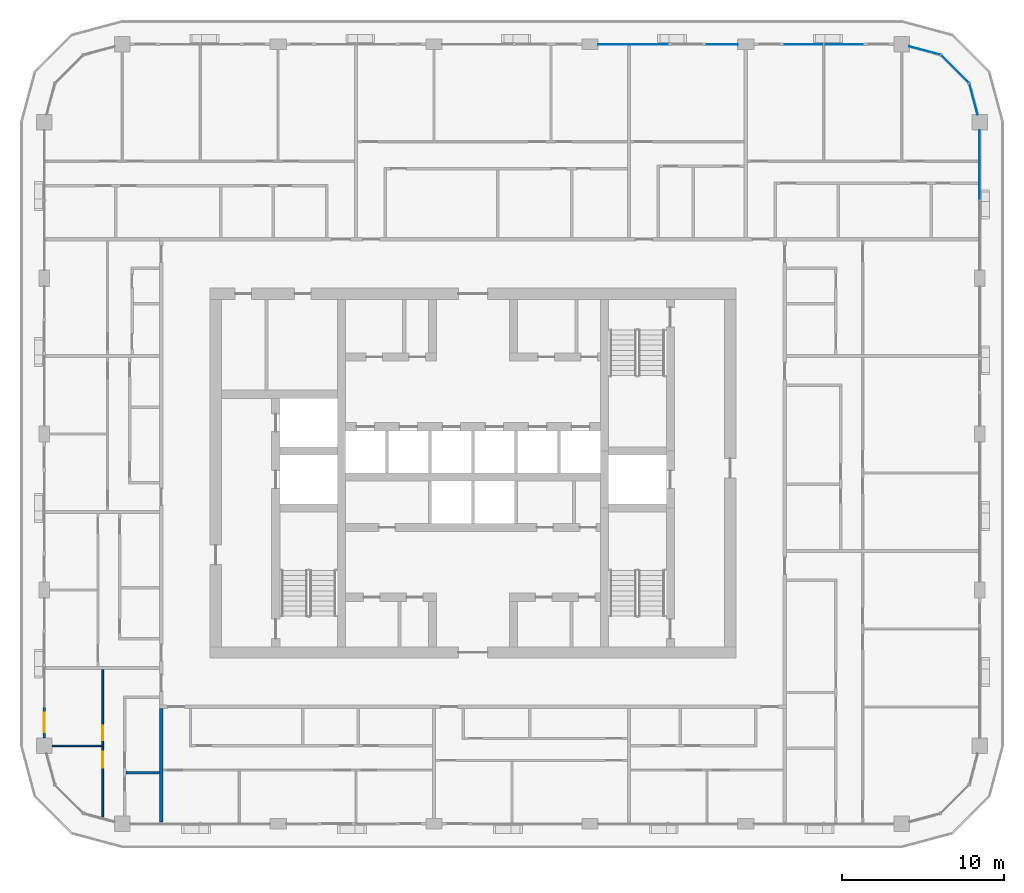
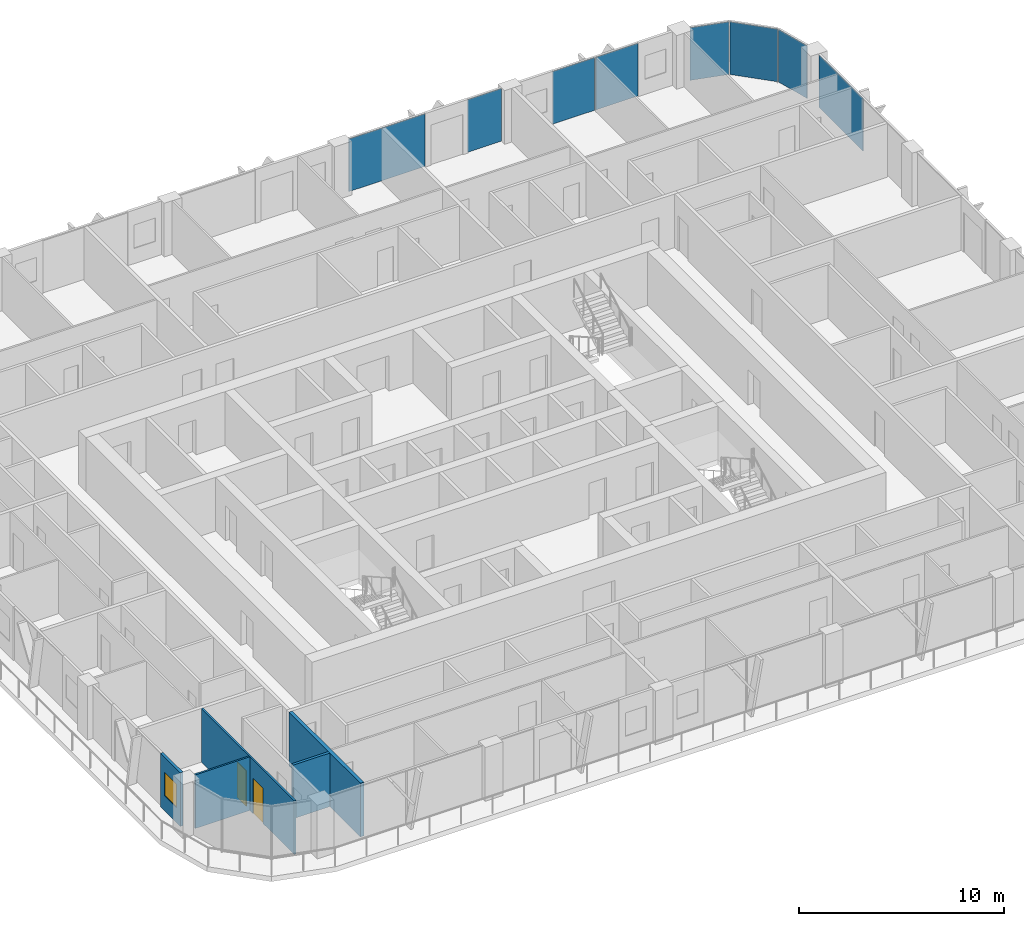
# One storey, part 8 of 23: 8 plates, 5 walls, 2 doors, 1 window, 3 openings, 4 elements without a shape of their own.
"""IFC4 building model written with IfcOpenShell, lengths in metres."""

import ifcopenshell
import ifcopenshell.guid

model = None  # the IFC model being written
_history = None  # IfcOwnerHistory: only IFC2X3 demands one
_inside = {}  # id of a spatial element -> (the spatial element, [elements in it])
_under = {}  # id of a project, library or spatial element -> (it, [spatial elements below it])
_declared = {}  # id of a project -> (the project, [libraries it declares])
_typed = {}  # id of a type object -> (the type object, [elements of that type])
_made_of = {}  # id of a material, layer set ... -> (it, [elements and type objects made of it])


def new_model(schema):
    """Start an empty IFC model of exactly this schema.

    Asked for "IFC4X3", IfcOpenShell would pick the latest addendum, in which some entities
    have other attributes; the version numbers below select the first issue.
    IFC2X3 requires an IfcOwnerHistory on every rooted entity: one is made here for all.
    """
    global model, _history
    if schema == "IFC4X3":
        model = ifcopenshell.file(schema_version=(4, 3, 0, 0))
    else:
        model = ifcopenshell.file(schema=schema)
    _inside.clear()
    _under.clear()
    _declared.clear()
    _typed.clear()
    _made_of.clear()
    _history = None
    if model.schema == "IFC2X3":
        org = make("IfcOrganization", Name="unknown")
        user = make(
            "IfcPersonAndOrganization",
            ThePerson=make("IfcPerson", FamilyName="unknown"),
            TheOrganization=org,
        )
        app = make(
            "IfcApplication",
            ApplicationDeveloper=org,
            Version="unknown",
            ApplicationFullName="unknown",
            ApplicationIdentifier="unknown",
        )
        _history = make(
            "IfcOwnerHistory",
            OwningUser=user,
            OwningApplication=app,
            ChangeAction="ADDED",
            CreationDate=0,
        )
    return model


def make(cls, **values):
    """One entity of the class cls with the attributes given. An attribute that is None is left unset."""
    return model.create_entity(
        cls, **{name: value for name, value in values.items() if value is not None}
    )


def rooted(cls, **values):
    """An entity with a GlobalId (a new one), such as an element, a storey or a relation."""
    return make(cls, GlobalId=ifcopenshell.guid.new(), OwnerHistory=_history, **values)


def si_unit(unit_type, name, prefix=None):
    """IfcSIUnit, for example si_unit("LENGTHUNIT", "METRE", prefix="MILLI")."""
    return make("IfcSIUnit", UnitType=unit_type, Prefix=prefix, Name=name)


def assignment(units):
    """IfcUnitAssignment: the units of a project."""
    return None if units is None else make("IfcUnitAssignment", Units=units)


def point(xyz):
    """IfcCartesianPoint."""
    return None if xyz is None else make("IfcCartesianPoint", Coordinates=xyz)


def direction(xyz):
    """IfcDirection."""
    return None if xyz is None else make("IfcDirection", DirectionRatios=xyz)


def frame(location, z_axis=None, x_axis=None):
    """IfcAxis2Placement3D, a coordinate frame: its origin and axes. An axis left out is left unset."""
    return make(
        "IfcAxis2Placement3D",
        Location=point(location),
        Axis=direction(z_axis),
        RefDirection=direction(x_axis),
    )


def frame_2d(location, x_axis=None):
    """IfcAxis2Placement2D, a coordinate frame in the plane: its origin and x axis."""
    return make(
        "IfcAxis2Placement2D", Location=point(location), RefDirection=direction(x_axis)
    )


def origin():
    """The frame at (0, 0, 0) with its axes left unset."""
    return frame((0.0, 0.0, 0.0))


def origin_2d():
    """The frame at (0, 0) in the plane with its x axis left unset."""
    return frame_2d((0.0, 0.0))


def place(relative_to, where):
    """IfcLocalPlacement: puts the frame where relative to a parent placement (None: the world)."""
    return make(
        "IfcLocalPlacement", PlacementRelTo=relative_to, RelativePlacement=where
    )


def context(
    kind, dimensions, precision=None, world=None, true_north=None, identifier=None
):
    """IfcGeometricRepresentationContext, for example the 3D "Model" context."""
    return make(
        "IfcGeometricRepresentationContext",
        ContextIdentifier=identifier,
        ContextType=kind,
        CoordinateSpaceDimension=dimensions,
        Precision=precision,
        WorldCoordinateSystem=world,
        TrueNorth=true_north,
    )


def subcontext(parent, identifier, kind, view, scale=None):
    """IfcGeometricRepresentationSubContext, for example "Body" below "Model"."""
    return make(
        "IfcGeometricRepresentationSubContext",
        ContextIdentifier=identifier,
        ContextType=kind,
        ParentContext=parent,
        TargetScale=scale,
        TargetView=view,
    )


def project(units=None, contexts=None):
    """IfcProject with its units and contexts."""
    return rooted(
        "IfcProject",
        Name="project",
        RepresentationContexts=contexts,
        UnitsInContext=assignment(units),
    )


def spatial(cls, under=None, at=None, **own):
    """A site, building, storey or space (cls), placed at a placement, below another one or the project."""
    s = rooted(cls, ObjectPlacement=at, **own)
    if under is not None:
        _under.setdefault(under.id(), (under, []))[1].append(s)
    return s


def profile(cls, at=None, kind="AREA", **sizes):
    """A parametric profile (cls). Its sizes go by their IFC names, for example OverallWidth=200.0."""
    return make(cls, ProfileType=kind, Position=at, **sizes)


def rectangle(**sizes):
    """IfcRectangleProfileDef."""
    return profile("IfcRectangleProfileDef", **sizes)


def extrude(swept, where, along, depth):
    """IfcExtrudedAreaSolid: the profile swept, set in the frame where, extruded along a direction by depth."""
    return make(
        "IfcExtrudedAreaSolid",
        SweptArea=swept,
        Position=where,
        ExtrudedDirection=direction(along),
        Depth=depth,
    )


def shape(context_of_items, identifier, shape_type, items):
    """IfcShapeRepresentation: the items that make up one representation, for example the "Body"."""
    return make(
        "IfcShapeRepresentation",
        ContextOfItems=context_of_items,
        RepresentationIdentifier=identifier,
        RepresentationType=shape_type,
        Items=items,
    )


def material(Name=None, Category=None):
    """IfcMaterial."""
    return make("IfcMaterial", Name=Name, Category=Category)


def layer(
    of_material, thickness, ventilated=None, Name=None, Category=None, Priority=None
):
    """IfcMaterialLayer: one layer of a wall or slab, of a material (None: an air gap)."""
    return make(
        "IfcMaterialLayer",
        Material=of_material,
        LayerThickness=thickness,
        IsVentilated=ventilated,
        Name=Name,
        Category=Category,
        Priority=Priority,
    )


def layer_set(layers, Name=None):
    """IfcMaterialLayerSet."""
    return make("IfcMaterialLayerSet", MaterialLayers=layers, LayerSetName=Name)


def made_of(thing, what):
    """Note that an element or type object is made of a material, layer set ...; save() writes the relation."""
    if what is not None:
        _made_of.setdefault(what.id(), (what, []))[1].append(thing)
    return thing


def type_object(cls, material=None, **own):
    """A type object (cls), such as IfcWallType, which elements share."""
    return made_of(rooted(cls, **own), material)


def element(
    cls,
    number,
    at=None,
    inside=None,
    cuts=None,
    type_object=None,
    material=None,
    context=None,
    identifier="Body",
    shape_type=None,
    held_by="IfcProductDefinitionShape",
    body=None,
    shapes=None,
    **own,
):
    """One element of the class cls, such as IfcWall. Its Tag is "e" and its number.

    at: its placement. inside: the storey or other place that contains it. cuts: it is an
    opening in that element (IfcRelVoidsElement). A single representation is given by context,
    identifier, shape_type and body (its items); several are given by shapes. held_by: the class
    of the entity that holds the representations. save() writes the other relations.
    """
    e = rooted(cls, Tag="e%d" % number, ObjectPlacement=at, **own)
    if body is not None:
        shapes = [shape(context, identifier, shape_type, body)]
    if shapes is not None:
        e.Representation = make(held_by, Representations=shapes)
    if inside is not None:
        _inside.setdefault(inside.id(), (inside, []))[1].append(e)
    if cuts is not None:
        rooted(
            "IfcRelVoidsElement", RelatingBuildingElement=cuts, RelatedOpeningElement=e
        )
    if type_object is not None:
        _typed.setdefault(type_object.id(), (type_object, []))[1].append(e)
    return made_of(e, material)


def fill(opening, filler):
    """IfcRelFillsElement: the door or window that sits in an opening."""
    return rooted(
        "IfcRelFillsElement",
        RelatingOpeningElement=opening,
        RelatedBuildingElement=filler,
    )


def aggregate(whole, parts):
    """IfcRelAggregates: a whole, such as a stair, and the parts it consists of."""
    return rooted("IfcRelAggregates", RelatingObject=whole, RelatedObjects=parts)


def save(model, path):
    """Write the relations noted so far, then the file.

    IfcRelAggregates (storeys below a building ...), IfcRelContainedInSpatialStructure (elements
    in a storey), IfcRelDefinesByType, IfcRelAssociatesMaterial and IfcRelDeclares: one each for
    every whole, place, type object, material and project.
    """
    for whole, parts in _under.values():
        aggregate(whole, parts)
    for where, things in _inside.values():
        rooted(
            "IfcRelContainedInSpatialStructure",
            RelatedElements=things,
            RelatingStructure=where,
        )
    for kind, things in _typed.values():
        rooted("IfcRelDefinesByType", RelatedObjects=things, RelatingType=kind)
    for what, things in _made_of.values():
        rooted("IfcRelAssociatesMaterial", RelatedObjects=things, RelatingMaterial=what)
    for by, libraries in _declared.values():
        rooted("IfcRelDeclares", RelatingContext=by, RelatedDefinitions=libraries)
    model.write(path)


model = new_model("IFC4")

# Units and contexts
model_context = context("Model", 3, precision=1e-05, world=origin(), true_north=direction((0.0, 1.0)))
body_context = subcontext(model_context, "Body", "Model", "MODEL_VIEW")
ifc_project = project(units=[si_unit("LENGTHUNIT", "METRE"), si_unit("AREAUNIT", "SQUARE_METRE"), si_unit("VOLUMEUNIT", "CUBIC_METRE"), si_unit("PLANEANGLEUNIT", "RADIAN"), si_unit("MASSUNIT", "GRAM", prefix="KILO")], contexts=[model_context])

# Site, building, storey
site_placement = place(None, origin())
site = spatial("IfcSite", under=ifc_project, at=site_placement, CompositionType="ELEMENT")
building_placement = place(site_placement, origin())
building = spatial("IfcBuilding", under=site, at=building_placement, Name="Madar Terraces", CompositionType="ELEMENT")
storey_placement = place(building_placement, frame((0.0, 0.0, 215.800048828125)))
storey = spatial("IfcBuildingStorey", under=building, at=storey_placement, Name="L56", CompositionType="ELEMENT", Elevation=215.800048828125)

# Curtain wall, plate
ifc_material_1 = material(Name="Glass, ceramic frit dark grey, with black aluminium frame", Category="aluminium")
ifc_layer_1 = layer(ifc_material_1, 0.199951171875)
ifc_layer_set_1 = layer_set([ifc_layer_1], Name="Facade curtain wall, fritted glass")
curtain_wall_type = type_object("IfcCurtainWallType", Name="Facade curtain wall, fritted glass", PredefinedType="NOTDEFINED", material=ifc_layer_set_1)
curtain_wall_1_placement = place(storey_placement, origin())
curtain_wall_1 = element("IfcCurtainWall", 1, at=curtain_wall_1_placement, inside=storey, type_object=curtain_wall_type, Name="Outer skin curtain wall east bay 4", PredefinedType="NOTDEFINED")
ifc_material_2 = material(Name="Glass, ceramic frit dark grey", Category="glass")
ifc_layer_2 = layer(ifc_material_2, 0.028076171875)
ifc_layer_set_2 = layer_set([ifc_layer_2], Name="Facade glass panel 28")
plate_type = type_object("IfcPlateType", Name="Facade glass panel 28", PredefinedType="CURTAIN_PANEL", material=ifc_layer_set_2)
plate_1_placement = place(storey_placement, frame((62.39990234375, 45.37744140625, 0.0), z_axis=(0.0, 0.0, 1.0), x_axis=(0.0, 1.0, 0.0)))
plate_1 = element("IfcPlate", 2, at=plate_1_placement, type_object=plate_type, Name="Panel 2", PredefinedType="CURTAIN_PANEL", context=body_context, shape_type="SweptSolid", body=[
    extrude(rectangle(XDim=4.294921875, YDim=0.028076171875, at=origin_2d()), origin(), (0.0, 0.0, 1.0), 3.139892578125),
])
aggregate(curtain_wall_1, [plate_1])

# Curtain wall, plates
curtain_wall_2_placement = place(storey_placement, origin())
curtain_wall_2 = element("IfcCurtainWall", 3, at=curtain_wall_2_placement, inside=storey, type_object=curtain_wall_type, Name="Outer skin curtain wall north bay 1", PredefinedType="NOTDEFINED")
plate_2_placement = place(storey_placement, frame((54.014892578125, 52.800048828125, 0.0), z_axis=(0.0, 0.0, 1.0), x_axis=(-1.0, 0.0, 0.0)))
plate_2 = element("IfcPlate", 4, at=plate_2_placement, type_object=plate_type, Name="Panel 1", PredefinedType="CURTAIN_PANEL", context=body_context, shape_type="SweptSolid", body=[
    extrude(rectangle(XDim=2.3701171875, YDim=0.028076171875, at=origin_2d()), origin(), (0.0, 0.0, 1.0), 3.139892578125),
])
plate_3_placement = place(storey_placement, frame((51.5849609375, 52.800048828125, 0.0), z_axis=(0.0, 0.0, 1.0), x_axis=(-1.0, 0.0, 0.0)))
plate_3 = element("IfcPlate", 5, at=plate_3_placement, type_object=plate_type, Name="Panel 2", PredefinedType="CURTAIN_PANEL", context=body_context, shape_type="SweptSolid", body=[
    extrude(rectangle(XDim=2.3701171875, YDim=0.028076171875, at=origin_2d()), origin(), (0.0, 0.0, 1.0), 3.139892578125),
])
aggregate(curtain_wall_2, [plate_2, plate_3])

curtain_wall_3_placement = place(storey_placement, origin())
curtain_wall_3 = element("IfcCurtainWall", 6, at=curtain_wall_3_placement, inside=storey, type_object=curtain_wall_type, Name="Outer skin curtain wall north bay 2", PredefinedType="NOTDEFINED")
plate_4_placement = place(storey_placement, frame((46.550048828125, 52.800048828125, 0.0), z_axis=(0.0, 0.0, 1.0), x_axis=(-1.0, 0.0, 0.0)))
plate_4 = element("IfcPlate", 7, at=plate_4_placement, type_object=plate_type, Name="Panel 1", PredefinedType="CURTAIN_PANEL", context=body_context, shape_type="SweptSolid", body=[
    extrude(rectangle(XDim=1.89990234375, YDim=0.028076171875, at=origin_2d()), origin(), (0.0, 0.0, 1.0), 3.139892578125),
])
plate_5_placement = place(storey_placement, frame((41.050048828125, 52.800048828125, 0.0), z_axis=(0.0, 0.0, 1.0), x_axis=(-1.0, 0.0, 0.0)))
plate_5 = element("IfcPlate", 8, at=plate_5_placement, type_object=plate_type, Name="Panel 2", PredefinedType="CURTAIN_PANEL", context=body_context, shape_type="SweptSolid", body=[
    extrude(rectangle(XDim=4.300048828125, YDim=0.028076171875, at=origin_2d()), origin(), (0.0, 0.0, 1.0), 3.139892578125),
])
aggregate(curtain_wall_3, [plate_4, plate_5])

curtain_wall_4_placement = place(storey_placement, origin())
curtain_wall_4 = element("IfcCurtainWall", 9, at=curtain_wall_4_placement, inside=storey, type_object=curtain_wall_type, Name="Outer skin curtain wall north-east corner", PredefinedType="NOTDEFINED")
plate_6_placement = place(storey_placement, frame((62.018798828125, 49.423095703125, 0.0), z_axis=(0.0, 0.0, 1.0), x_axis=(-0.258819021888, 0.965925832509, 0.0)))
plate_6 = element("IfcPlate", 10, at=plate_6_placement, type_object=plate_type, Name="Panel 1", PredefinedType="CURTAIN_PANEL", context=body_context, shape_type="SweptSolid", body=[
    extrude(rectangle(XDim=1.962890625, YDim=0.028076171875, at=origin_2d()), origin(), (0.0, 0.0, 1.0), 3.139892578125),
])
plate_7_placement = place(storey_placement, frame((60.87841796875, 51.278564453125, 0.0), z_axis=(0.0, 0.0, 1.0), x_axis=(-0.707106781187, 0.707106781187, 0.0)))
plate_7 = element("IfcPlate", 11, at=plate_7_placement, type_object=plate_type, Name="Panel 2", PredefinedType="CURTAIN_PANEL", context=body_context, shape_type="SweptSolid", body=[
    extrude(rectangle(XDim=2.424560546875, YDim=0.028076171875, at=origin_2d()), origin(), (0.0, 0.0, 1.0), 3.139892578125),
])
plate_8_placement = place(storey_placement, frame((59.02294921875, 52.418701171875, 0.0), z_axis=(0.0, 0.0, 1.0), x_axis=(-0.965925832509, 0.258819021888, 0.0)))
plate_8 = element("IfcPlate", 12, at=plate_8_placement, type_object=plate_type, Name="Panel 3", PredefinedType="CURTAIN_PANEL", context=body_context, shape_type="SweptSolid", body=[
    extrude(rectangle(XDim=1.962890625, YDim=0.028076171875, at=origin_2d()), origin(), (0.0, 0.0, 1.0), 3.139892578125),
])
aggregate(curtain_wall_4, [plate_6, plate_7, plate_8])

# Wall, opening, window
ifc_material_3 = material(Name="Aluminium composite panel, black, over insulated backing", Category="aluminium")
ifc_layer_3 = layer(ifc_material_3, 0.14990234375)
ifc_layer_set_3 = layer_set([ifc_layer_3], Name="Facade bay panel 150")
wall_type_1 = type_object("IfcWallType", Name="Facade bay panel 150", PredefinedType="SOLIDWALL", material=ifc_layer_set_3)
wall_1_placement = place(storey_placement, frame((4.800048828125, 12.0, 0.0), z_axis=(0.0, 0.0, 1.0), x_axis=(0.0, -1.0, 0.0)))
wall_1 = element("IfcWall", 13, at=wall_1_placement, inside=storey, type_object=wall_type_1, Name="Facade bay panel", PredefinedType="SOLIDWALL", context=body_context, shape_type="SweptSolid", body=[
    extrude(rectangle(XDim=1.925048828125, YDim=0.14990234375, at=frame_2d((0.96240234375, 0.0))), origin(), (0.0, 0.0, 1.0), 3.199951171875),
])
opening_1_placement = place(wall_1_placement, frame((0.362548828125, 0.0, 0.89990234375)))
opening_1 = element("IfcOpeningElement", 14, at=opening_1_placement, cuts=wall_1, Name="Opening W1", PredefinedType="OPENING", context=body_context, shape_type="SweptSolid", body=[
    extrude(rectangle(XDim=1.199951171875, YDim=1.39990234375, at=frame_2d((0.60009765625, 0.699951171875))), frame((0.0, 0.0849609375, 0.0), z_axis=(0.0, -1.0, 0.0), x_axis=(1.0, 0.0, 0.0)), (0.0, 0.0, 1.0), 0.169921875),
])
ifc_material_4 = material(Name="Glass, clear, with black aluminium frame", Category="aluminium")
window_type = type_object("IfcWindowType", Name="Vent window 1200 x 1400", PartitioningType="SINGLE_PANEL", PredefinedType="WINDOW", material=ifc_material_4)
window_placement = place(opening_1_placement, origin())
window = element("IfcWindow", 15, at=window_placement, inside=storey, type_object=window_type, Name="Operable vent window", OverallHeight=1.39990234375, OverallWidth=1.199951171875, PartitioningType="SINGLE_PANEL", PredefinedType="WINDOW", context=body_context, shape_type="SweptSolid", body=[
    extrude(rectangle(XDim=1.199951171875, YDim=1.39990234375, at=frame_2d((0.60009765625, 0.699951171875))), frame((0.0, 0.030029296875, 0.0), z_axis=(0.0, -1.0, 0.0), x_axis=(1.0, 0.0, 0.0)), (0.0, 0.0, 1.0), 0.06005859375),
])
fill(opening_1, window)

# Wall
ifc_material_5 = material(Name="Gypsum board on steel studs", Category="steel")
ifc_layer_4 = layer(ifc_material_5, 0.10009765625)
ifc_layer_set_4 = layer_set([ifc_layer_4], Name="Flat partition 100")
wall_type_2 = type_object("IfcWallType", Name="Flat partition 100", PredefinedType="PARTITIONING", material=ifc_layer_set_4)
wall_2_placement = place(storey_placement, frame((8.35009765625, 9.60009765625, 0.0), z_axis=(0.0, 0.0, 1.0), x_axis=(-1.0, 0.0, 0.0)))
element("IfcWall", 16, at=wall_2_placement, inside=storey, type_object=wall_type_2, Name="Flat partition 100", PredefinedType="PARTITIONING", context=body_context, shape_type="SweptSolid", body=[
    extrude(rectangle(XDim=3.0751953125, YDim=0.10009765625, at=frame_2d((1.53759765625, 0.0))), origin(), (0.0, 0.0, 1.0), 3.199951171875),
])

# Wall, openings, doors
wall_3_placement = place(storey_placement, frame((8.39990234375, 5.221435546875, 0.0), z_axis=(0.0, 0.0, 1.0), x_axis=(0.0, 1.0, 0.0)))
wall_3 = element("IfcWall", 17, at=wall_3_placement, inside=storey, type_object=wall_type_2, Name="Flat partition 100", PredefinedType="PARTITIONING", context=body_context, shape_type="SweptSolid", body=[
    extrude(rectangle(XDim=9.07861328125, YDim=0.10009765625, at=frame_2d((4.539306640625, 0.0))), origin(), (0.0, 0.0, 1.0), 3.199951171875),
])
opening_2_placement = place(wall_3_placement, frame((4.728515625, 0.0, 0.0)))
opening_2 = element("IfcOpeningElement", 18, at=opening_2_placement, cuts=wall_3, Name="Opening D2", PredefinedType="OPENING", context=body_context, shape_type="SweptSolid", body=[
    extrude(rectangle(XDim=0.89990234375, YDim=2.10009765625, at=frame_2d((0.449951171875, 1.050048828125))), frame((0.0, 0.06005859375, 0.0), z_axis=(0.0, -1.0, 0.0), x_axis=(1.0, 0.0, 0.0)), (0.0, 0.0, 1.0), 0.1201171875),
])
opening_3_placement = place(wall_3_placement, frame((3.028564453125, 0.0, 0.0)))
opening_3 = element("IfcOpeningElement", 19, at=opening_3_placement, cuts=wall_3, Name="Opening D3", PredefinedType="OPENING", context=body_context, shape_type="SweptSolid", body=[
    extrude(rectangle(XDim=1.0, YDim=2.10009765625, at=frame_2d((0.5, 1.050048828125))), frame((0.0, 0.06005859375, 0.0), z_axis=(0.0, -1.0, 0.0), x_axis=(1.0, 0.0, 0.0)), (0.0, 0.0, 1.0), 0.1201171875),
])
ifc_material_6 = material(Name="Timber door leaf", Category="wood")
door_type_1 = type_object("IfcDoorType", Name="Flat living room door 1000", OperationType="NOTDEFINED", PredefinedType="DOOR", material=ifc_material_6)
door_1_placement = place(opening_3_placement, origin())
door_1 = element("IfcDoor", 20, at=door_1_placement, inside=storey, type_object=door_type_1, Name="Flat living room door 1000", OperationType="SINGLE_SWING_RIGHT", OverallHeight=2.10009765625, OverallWidth=1.0, PredefinedType="DOOR", context=body_context, shape_type="SweptSolid", body=[
    extrude(rectangle(XDim=1.0, YDim=2.10009765625, at=frame_2d((0.5, 1.050048828125))), frame((0.0, 0.02490234375, 0.0), z_axis=(0.0, -1.0, 0.0), x_axis=(1.0, 0.0, 0.0)), (0.0, 0.0, 1.0), 0.050048828125),
])
fill(opening_3, door_1)
ifc_material_7 = material(Name="Timber door leaf", Category="wood")
door_type_2 = type_object("IfcDoorType", Name="Flat room door 900", OperationType="NOTDEFINED", PredefinedType="DOOR", material=ifc_material_7)
door_2_placement = place(opening_2_placement, origin())
door_2 = element("IfcDoor", 21, at=door_2_placement, inside=storey, type_object=door_type_2, Name="Flat room door 900", OperationType="SINGLE_SWING_LEFT", OverallHeight=2.10009765625, OverallWidth=0.89990234375, PredefinedType="DOOR", context=body_context, shape_type="SweptSolid", body=[
    extrude(rectangle(XDim=0.89990234375, YDim=2.10009765625, at=frame_2d((0.449951171875, 1.050048828125))), frame((0.0, 0.02490234375, 0.0), z_axis=(0.0, -1.0, 0.0), x_axis=(1.0, 0.0, 0.0)), (0.0, 0.0, 1.0), 0.050048828125),
])
fill(opening_2, door_2)

# Walls
ifc_material_8 = material(Name="Lightweight blockwork", Category="masonry")
ifc_layer_5 = layer(ifc_material_8, 0.199951171875)
ifc_layer_set_5 = layer_set([ifc_layer_5], Name="Flat party and entrance wall 200")
wall_type_3 = type_object("IfcWallType", Name="Flat party and entrance wall 200", PredefinedType="PARTITIONING", material=ifc_layer_set_5)
wall_4_placement = place(storey_placement, frame((12.0, 4.89990234375, 0.0), z_axis=(0.0, 0.0, 1.0), x_axis=(0.0, 1.0, 0.0)))
element("IfcWall", 22, at=wall_4_placement, inside=storey, type_object=wall_type_3, Name="Flat party and entrance wall 200", PredefinedType="PARTITIONING", context=body_context, shape_type="SweptSolid", body=[
    extrude(rectangle(XDim=7.0, YDim=0.199951171875, at=frame_2d((3.5, 0.0))), origin(), (0.0, 0.0, 1.0), 3.199951171875),
])
ifc_material_9 = material(Name="Lightweight blockwork", Category="masonry")
ifc_layer_6 = layer(ifc_material_9, 0.14990234375)
ifc_layer_set_6 = layer_set([ifc_layer_6], Name="Flat wet-room partition 150")
wall_type_4 = type_object("IfcWallType", Name="Flat wet-room partition 150", PredefinedType="PARTITIONING", material=ifc_layer_set_6)
wall_5_placement = place(storey_placement, frame((11.89990234375, 7.949951171875, 0.0), z_axis=(0.0, 0.0, 1.0), x_axis=(-1.0, 0.0, 0.0)))
element("IfcWall", 23, at=wall_5_placement, inside=storey, type_object=wall_type_4, Name="Flat wet-room partition 150", PredefinedType="PARTITIONING", context=body_context, shape_type="SweptSolid", body=[
    extrude(rectangle(XDim=2.074951171875, YDim=0.14990234375, at=frame_2d((1.03759765625, 0.0))), origin(), (0.0, 0.0, 1.0), 3.199951171875),
])

save(model, "model.ifc")
